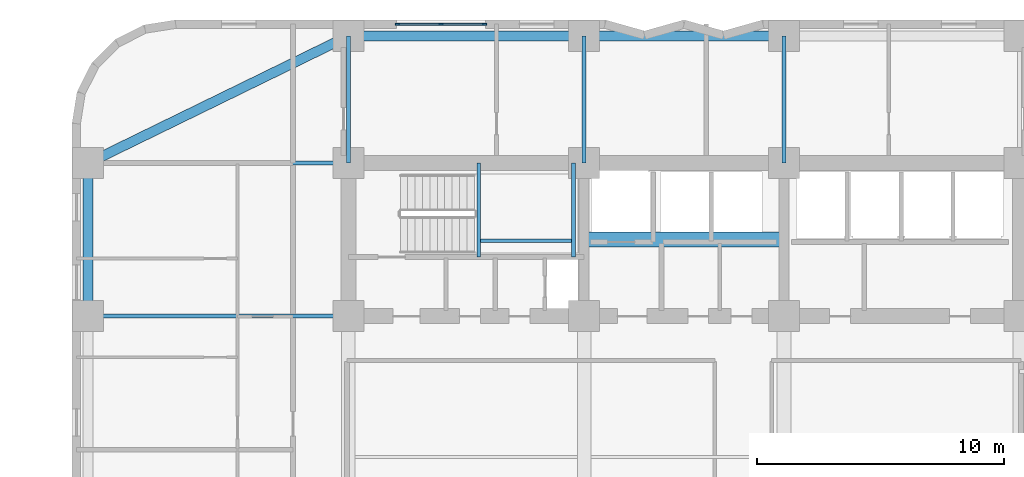
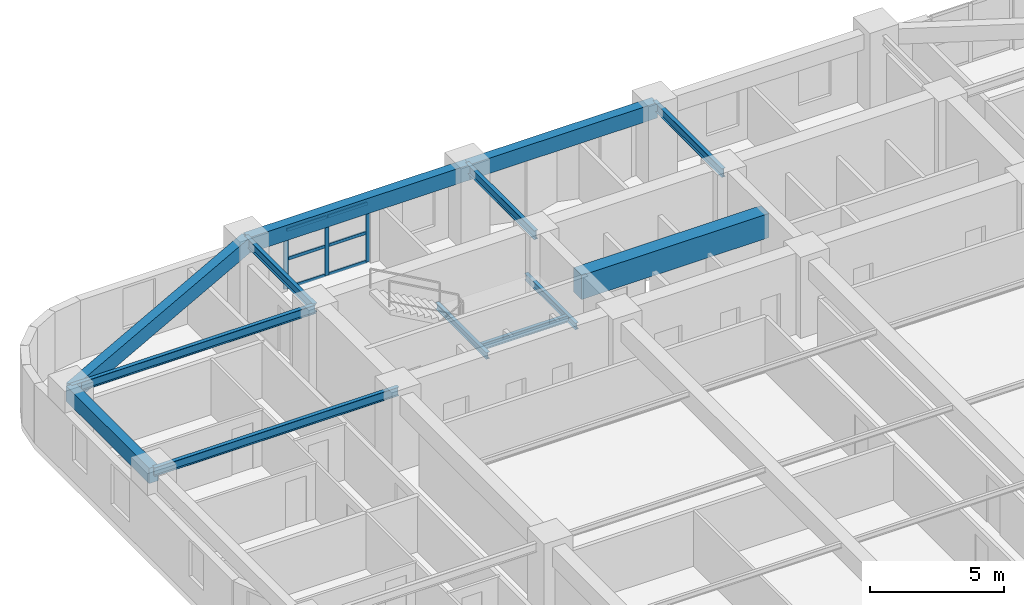
# One storey, part 3 of 13: 13 beams, 9 members, 1 element without a shape of its own.
"""IFC4 building model written with IfcOpenShell, lengths in metres."""

from ifc_helpers import new_model, si_unit, direction, frame, origin, origin_2d, place, context, subcontext, project, spatial, rectangle, i_section, extrude, material, material_profile, profile_set, type_object, element, aggregate, save


model = new_model("IFC4")

# Units and contexts
model_context = context("Model", 3, precision=1e-05, world=origin(), true_north=direction((0.0, 1.0)))
body_context = subcontext(model_context, "Body", "Model", "MODEL_VIEW")
ifc_project = project(units=[si_unit("LENGTHUNIT", "METRE"), si_unit("AREAUNIT", "SQUARE_METRE"), si_unit("VOLUMEUNIT", "CUBIC_METRE"), si_unit("PLANEANGLEUNIT", "RADIAN"), si_unit("MASSUNIT", "GRAM", prefix="KILO")], contexts=[model_context])

# Site, building, storey
site_placement = place(None, origin())
site = spatial("IfcSite", under=ifc_project, at=site_placement, CompositionType="ELEMENT")
building_placement = place(site_placement, origin())
building = spatial("IfcBuilding", under=site, at=building_placement, Name="Svetorya Sky Lyceum", CompositionType="ELEMENT")
storey_placement = place(building_placement, frame((0.0, 0.0, 39.89990234375)))
storey = spatial("IfcBuildingStorey", under=building, at=storey_placement, Name="L09", CompositionType="ELEMENT", Elevation=39.89990234375)

# Beams
ifc_material_1 = material(Name="Concrete C60/75", Category="concrete")
ifc_material_profile_1 = material_profile(ifc_material_1, rectangle(XDim=0.60009765625, YDim=1.10009765625, at=origin_2d()), Name="RC COUPLING 600x1100")
ifc_profile_set_1 = profile_set([ifc_material_profile_1], Name="Concrete C60/75")
beam_type_1 = type_object("IfcBeamType", Name="BM-CPL-1100", PredefinedType="LINTEL", material=ifc_profile_set_1)
beam_1_placement = place(storey_placement, frame((35.14990234375, 42.699951171875, 2.8701171875), z_axis=(1.0, 0.0, 0.0), x_axis=(0.0, 1.0, 0.0)))
element("IfcBeam", 1, at=beam_1_placement, inside=storey, type_object=beam_type_1, Name="L09 NC Core Coupling Beam", PredefinedType="LINTEL", context=body_context, shape_type="SweptSolid", body=[
    extrude(rectangle(XDim=0.60009765625, YDim=1.10009765625, at=origin_2d()), origin(), (0.0, 0.0, 1.0), 8.10009765625),
])
ifc_material_2 = material(Name="Concrete C50/60", Category="concrete")
ifc_material_profile_2 = material_profile(ifc_material_2, rectangle(XDim=0.39990234375, YDim=0.699951171875, at=origin_2d()), Name="RC SPANDREL 400x700")
ifc_profile_set_2 = profile_set([ifc_material_profile_2], Name="Concrete C50/60")
beam_type_2 = type_object("IfcBeamType", Name="BM-SPN-700", PredefinedType="SPANDREL", material=ifc_profile_set_2)
beam_2_placement = place(storey_placement, frame((25.60009765625, 50.949951171875, 3.070068359375), z_axis=(1.0, 0.0, 0.0), x_axis=(0.0, 1.0, 0.0)))
element("IfcBeam", 2, at=beam_2_placement, inside=storey, type_object=beam_type_2, Name="L09 North Spandrel 1", PredefinedType="SPANDREL", context=body_context, shape_type="SweptSolid", body=[
    extrude(rectangle(XDim=0.39990234375, YDim=0.699951171875, at=origin_2d()), origin(), (0.0, 0.0, 1.0), 9.5498046875),
])
beam_3_placement = place(storey_placement, frame((35.14990234375, 50.949951171875, 3.070068359375), z_axis=(1.0, 0.0, 0.0), x_axis=(0.0, 1.0, 0.0)))
element("IfcBeam", 3, at=beam_3_placement, inside=storey, type_object=beam_type_2, Name="L09 North Spandrel 2", PredefinedType="SPANDREL", context=body_context, shape_type="SweptSolid", body=[
    extrude(rectangle(XDim=0.39990234375, YDim=0.699951171875, at=origin_2d()), origin(), (0.0, 0.0, 1.0), 8.10009765625),
])
beam_4_placement = place(storey_placement, frame((15.050048828125, 45.800048828125, 3.070068359375), z_axis=(0.898649693653, 0.438666989978, 0.0), x_axis=(-0.438666989978, 0.898649693653, 0.0)))
element("IfcBeam", 4, at=beam_4_placement, inside=storey, type_object=beam_type_2, Name="L09 Corner Spandrel 4", PredefinedType="SPANDREL", context=body_context, shape_type="SweptSolid", body=[
    extrude(rectangle(XDim=0.39990234375, YDim=0.699951171875, at=origin_2d()), origin(), (0.0, 0.0, 1.0), 11.739990234375),
])
beam_5_placement = place(storey_placement, frame((15.050048828125, 39.60009765625, 3.070068359375), z_axis=(0.0, 1.0, 0.0), x_axis=(-1.0, 0.0, 0.0)))
element("IfcBeam", 5, at=beam_5_placement, inside=storey, type_object=beam_type_2, Name="L09 West Spandrel 4", PredefinedType="SPANDREL", context=body_context, shape_type="SweptSolid", body=[
    extrude(rectangle(XDim=0.39990234375, YDim=0.699951171875, at=origin_2d()), origin(), (0.0, 0.0, 1.0), 6.199951171875),
])
ifc_material_3 = material(Name="Steel S355", Category="steel")
ifc_material_profile_3 = material_profile(ifc_material_3, i_section(OverallWidth=0.14990234375, OverallDepth=0.299072265625, WebThickness=0.006591796875, FlangeThickness=0.010498046875, at=origin_2d()), Name="GOST 30B2")
ifc_profile_set_3 = profile_set([ifc_material_profile_3], Name="Steel S355")
beam_type_3 = type_object("IfcBeamType", Name="BM-STL-30B2", PredefinedType="JOIST", material=ifc_profile_set_3)
for number, where, z_axis, x_axis, name in (
    (6, (30.8798828125, 42.0, 1.50048828125), (0.0, 1.0, 0.0), (-1.0, 0.0, 0.0), "L09 Stair ST-N Half-Landing Support Beam 11.1"),
    (7, (34.719970703125, 42.0, 1.50048828125), (0.0, 1.0, 0.0), (-1.0, 0.0, 0.0), "L09 Stair ST-N Half-Landing Support Beam 11.2"),
):
    element("IfcBeam", number, at=place(storey_placement, frame(where, z_axis=z_axis, x_axis=x_axis)), inside=storey, type_object=beam_type_3, Name=name, PredefinedType="JOIST", context=body_context, shape_type="SweptSolid", body=[
        extrude(i_section(OverallWidth=0.14990234375, OverallDepth=0.299072265625, WebThickness=0.006591796875, FlangeThickness=0.010498046875, at=origin_2d()), origin(), (0.0, 0.0, 1.0), 3.800048828125),
    ])
beam_6_placement = place(storey_placement, frame((30.8798828125, 42.64990234375, 1.50048828125), z_axis=(1.0, 0.0, 0.0), x_axis=(0.0, 1.0, 0.0)))
element("IfcBeam", 8, at=beam_6_placement, inside=storey, type_object=beam_type_3, Name="L09 Stair ST-N Half-Landing Cross Tie 11", PredefinedType="JOIST", context=body_context, shape_type="SweptSolid", body=[
    extrude(i_section(OverallWidth=0.14990234375, OverallDepth=0.299072265625, WebThickness=0.006591796875, FlangeThickness=0.010498046875, at=origin_2d()), origin(), (0.0, 0.0, 1.0), 3.840087890625),
])
ifc_material_profile_4 = material_profile(ifc_material_3, i_section(OverallWidth=0.1650390625, OverallDepth=0.39990234375, WebThickness=0.008056640625, FlangeThickness=0.012939453125, at=origin_2d()), Name="GOST 40B2")
ifc_profile_set_4 = profile_set([ifc_material_profile_4], Name="Steel S355")
beam_type_4 = type_object("IfcBeamType", Name="BM-STL-40B2", PredefinedType="JOIST", material=ifc_profile_set_4)
for number, where, z_axis, x_axis, name in (
    (9, (15.050048828125, 39.60009765625, 3.22021484375), (1.0, 0.0, 0.0), (0.0, 1.0, 0.0), "L09 West Wing Floor Joist W4"),
    (10, (15.050048828125, 45.800048828125, 3.22021484375), (1.0, 0.0, 0.0), (0.0, 1.0, 0.0), "L09 West Wing Floor Joist W5"),
):
    element("IfcBeam", number, at=place(storey_placement, frame(where, z_axis=z_axis, x_axis=x_axis)), inside=storey, type_object=beam_type_4, Name=name, PredefinedType="JOIST", context=body_context, shape_type="SweptSolid", body=[
        extrude(i_section(OverallWidth=0.1650390625, OverallDepth=0.39990234375, WebThickness=0.008056640625, FlangeThickness=0.012939453125, at=origin_2d()), origin(), (0.0, 0.0, 1.0), 10.550048828125),
    ])
for number, where, z_axis, x_axis, name in (
    (11, (25.60009765625, 45.800048828125, 3.22021484375), (0.0, 1.0, 0.0), (-1.0, 0.0, 0.0), "L09 North Bay Floor Girder N1"),
    (12, (35.14990234375, 45.800048828125, 3.22021484375), (0.0, 1.0, 0.0), (-1.0, 0.0, 0.0), "L09 North Bay Floor Girder N2"),
    (13, (43.25, 45.800048828125, 3.22021484375), (0.0, 1.0, 0.0), (-1.0, 0.0, 0.0), "L09 North Bay Floor Girder N3"),
):
    element("IfcBeam", number, at=place(storey_placement, frame(where, z_axis=z_axis, x_axis=x_axis)), inside=storey, type_object=beam_type_4, Name=name, PredefinedType="JOIST", context=body_context, shape_type="SweptSolid", body=[
        extrude(i_section(OverallWidth=0.1650390625, OverallDepth=0.39990234375, WebThickness=0.008056640625, FlangeThickness=0.012939453125, at=origin_2d()), origin(), (0.0, 0.0, 1.0), 5.14990234375),
    ])

# Curtain wall, members
ifc_material_4 = material(Name="Thermally broken anodized aluminium and triple low-E glass", Category="aluminium")
curtain_wall_type = type_object("IfcCurtainWallType", Name="CW3-LOG-RES", PredefinedType="NOTDEFINED", material=ifc_material_4)
curtain_wall_placement = place(storey_placement, origin())
curtain_wall = element("IfcCurtainWall", 14, at=curtain_wall_placement, inside=storey, type_object=curtain_wall_type, Name="L09 Recessed Loggia Curtain Wall 34", PredefinedType="NOTDEFINED")
ifc_material_5 = material(Name="Thermally broken anodized aluminium EN AW-6060", Category="aluminium")
ifc_material_profile_5 = material_profile(ifc_material_5, rectangle(XDim=0.06494140625, YDim=0.179931640625, at=origin_2d()), Name="ALU MULLION 65x180")
ifc_profile_set_5 = profile_set([ifc_material_profile_5], Name="Thermally broken anodized aluminium EN AW-6060")
member_type_1 = type_object("IfcMemberType", Name="CWM-MUL-180", PredefinedType="MULLION", material=ifc_profile_set_5)
member_1_placement = place(storey_placement, frame((31.117431640625, 51.429931640625, 0.0), z_axis=(0.0, 0.0, 1.0), x_axis=(0.0, -1.0, 0.0)))
member_1 = element("IfcMember", 15, at=member_1_placement, type_object=member_type_1, Name="CW-3 mullion 1", PredefinedType="MULLION", context=body_context, shape_type="SweptSolid", body=[
    extrude(rectangle(XDim=0.06494140625, YDim=0.179931640625, at=origin_2d()), origin(), (0.0, 0.0, 1.0), 2.7001953125),
])
member_2_placement = place(storey_placement, frame((29.35009765625, 51.429931640625, 0.0), z_axis=(0.0, 0.0, 1.0), x_axis=(0.0, -1.0, 0.0)))
member_2 = element("IfcMember", 16, at=member_2_placement, type_object=member_type_1, Name="CW-3 mullion 2", PredefinedType="MULLION", context=body_context, shape_type="SweptSolid", body=[
    extrude(rectangle(XDim=0.06494140625, YDim=0.179931640625, at=origin_2d()), origin(), (0.0, 0.0, 1.0), 2.7001953125),
])
member_3_placement = place(storey_placement, frame((27.58251953125, 51.429931640625, 0.0), z_axis=(0.0, 0.0, 1.0), x_axis=(0.0, -1.0, 0.0)))
member_3 = element("IfcMember", 17, at=member_3_placement, type_object=member_type_1, Name="CW-3 mullion 3", PredefinedType="MULLION", context=body_context, shape_type="SweptSolid", body=[
    extrude(rectangle(XDim=0.06494140625, YDim=0.179931640625, at=origin_2d()), origin(), (0.0, 0.0, 1.0), 2.7001953125),
])
ifc_material_profile_6 = material_profile(ifc_material_5, rectangle(XDim=0.06494140625, YDim=0.139892578125, at=origin_2d()), Name="ALU TRANSOM 65x140")
ifc_profile_set_6 = profile_set([ifc_material_profile_6], Name="Thermally broken anodized aluminium EN AW-6060")
member_type_2 = type_object("IfcMemberType", Name="CWM-TRN-140", PredefinedType="USERDEFINED", material=ifc_profile_set_6)
member_4_placement = place(storey_placement, frame((31.08642578125, 51.429931640625, 0.03271484375), z_axis=(-1.0, 0.0, 0.0), x_axis=(0.0, -1.0, 0.0)))
member_4 = element("IfcMember", 18, at=member_4_placement, type_object=member_type_2, Name="CW-3 transom 1.1", ObjectType="TRANSOM", PredefinedType="USERDEFINED", context=body_context, shape_type="SweptSolid", body=[
    extrude(rectangle(XDim=0.06494140625, YDim=0.139892578125, at=origin_2d()), origin(), (0.0, 0.0, 1.0), 1.705322265625),
])
member_5_placement = place(storey_placement, frame((31.08642578125, 51.429931640625, 1.35009765625), z_axis=(-1.0, 0.0, 0.0), x_axis=(0.0, -1.0, 0.0)))
member_5 = element("IfcMember", 19, at=member_5_placement, type_object=member_type_2, Name="CW-3 transom 1.2", ObjectType="TRANSOM", PredefinedType="USERDEFINED", context=body_context, shape_type="SweptSolid", body=[
    extrude(rectangle(XDim=0.06494140625, YDim=0.139892578125, at=origin_2d()), origin(), (0.0, 0.0, 1.0), 1.705322265625),
])
member_6_placement = place(storey_placement, frame((31.08642578125, 51.429931640625, 2.66748046875), z_axis=(-1.0, 0.0, 0.0), x_axis=(0.0, -1.0, 0.0)))
member_6 = element("IfcMember", 20, at=member_6_placement, type_object=member_type_2, Name="CW-3 transom 1.3", ObjectType="TRANSOM", PredefinedType="USERDEFINED", context=body_context, shape_type="SweptSolid", body=[
    extrude(rectangle(XDim=0.06494140625, YDim=0.139892578125, at=origin_2d()), origin(), (0.0, 0.0, 1.0), 1.705322265625),
])
member_7_placement = place(storey_placement, frame((29.319091796875, 51.429931640625, 0.03271484375), z_axis=(-1.0, 0.0, 0.0), x_axis=(0.0, -1.0, 0.0)))
member_7 = element("IfcMember", 21, at=member_7_placement, type_object=member_type_2, Name="CW-3 transom 2.1", ObjectType="TRANSOM", PredefinedType="USERDEFINED", context=body_context, shape_type="SweptSolid", body=[
    extrude(rectangle(XDim=0.06494140625, YDim=0.139892578125, at=origin_2d()), origin(), (0.0, 0.0, 1.0), 1.70556640625),
])
member_8_placement = place(storey_placement, frame((29.319091796875, 51.429931640625, 1.35009765625), z_axis=(-1.0, 0.0, 0.0), x_axis=(0.0, -1.0, 0.0)))
member_8 = element("IfcMember", 22, at=member_8_placement, type_object=member_type_2, Name="CW-3 transom 2.2", ObjectType="TRANSOM", PredefinedType="USERDEFINED", context=body_context, shape_type="SweptSolid", body=[
    extrude(rectangle(XDim=0.06494140625, YDim=0.139892578125, at=origin_2d()), origin(), (0.0, 0.0, 1.0), 1.70556640625),
])
member_9_placement = place(storey_placement, frame((29.319091796875, 51.429931640625, 2.66748046875), z_axis=(-1.0, 0.0, 0.0), x_axis=(0.0, -1.0, 0.0)))
member_9 = element("IfcMember", 23, at=member_9_placement, type_object=member_type_2, Name="CW-3 transom 2.3", ObjectType="TRANSOM", PredefinedType="USERDEFINED", context=body_context, shape_type="SweptSolid", body=[
    extrude(rectangle(XDim=0.06494140625, YDim=0.139892578125, at=origin_2d()), origin(), (0.0, 0.0, 1.0), 1.70556640625),
])
aggregate(curtain_wall, [member_1, member_2, member_3, member_4, member_5, member_6, member_7, member_8, member_9])

save(model, "model.ifc")
